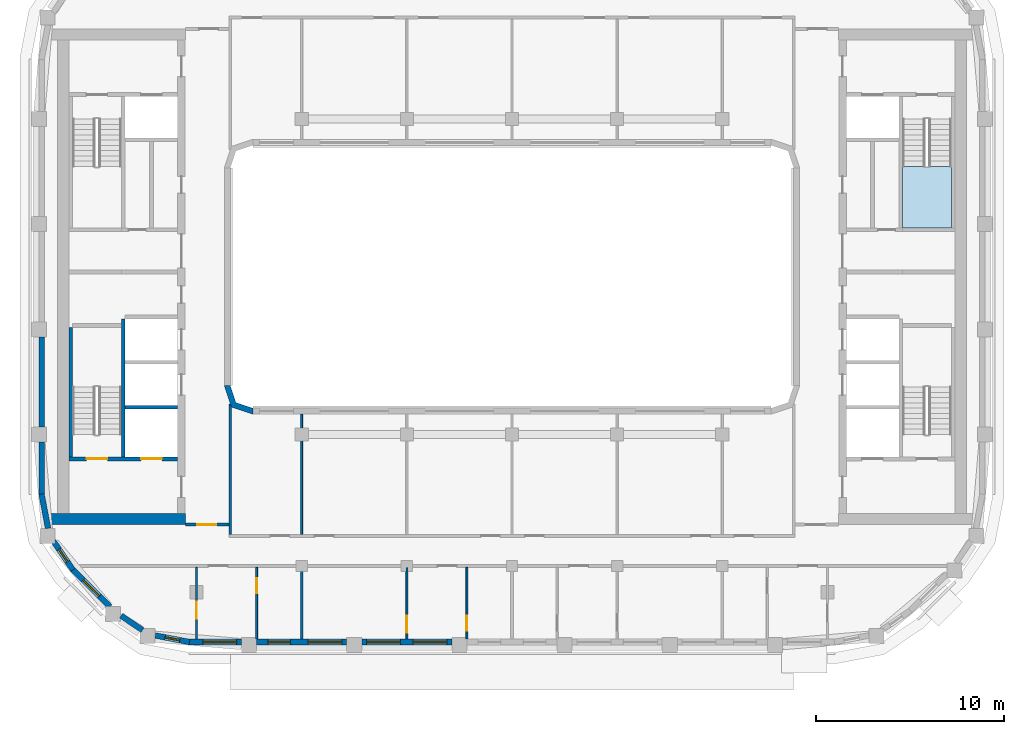
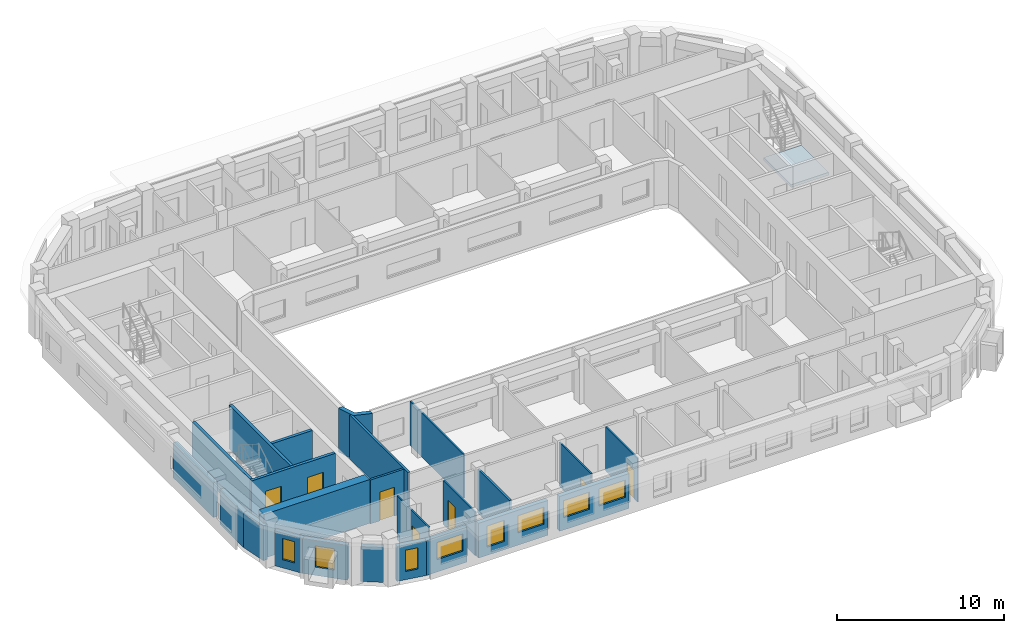
# One storey, part 2 of 15: 24 walls, 8 windows, 7 doors, 1 slab, 15 openings, 1 element without a shape of its own.
"""IFC4 building model written with IfcOpenShell, lengths in metres."""

from ifc_helpers import new_model, si_unit, direction, frame, frame_2d, origin, place, context, subcontext, project, spatial, polyline, rectangle, outline, extrude, material, layer, layer_set, type_object, element, fill, aggregate, save


model = new_model("IFC4")

# Units and contexts
model_context = context("Model", 3, precision=1e-05, world=origin(), true_north=direction((0.0, 1.0)))
body_context = subcontext(model_context, "Body", "Model", "MODEL_VIEW")
ifc_project = project(units=[si_unit("LENGTHUNIT", "METRE"), si_unit("AREAUNIT", "SQUARE_METRE"), si_unit("VOLUMEUNIT", "CUBIC_METRE"), si_unit("PLANEANGLEUNIT", "RADIAN"), si_unit("MASSUNIT", "GRAM", prefix="KILO")], contexts=[model_context])

# Site, building, storey
site_placement = place(None, origin())
site = spatial("IfcSite", under=ifc_project, at=site_placement, CompositionType="ELEMENT")
building_placement = place(site_placement, origin())
building = spatial("IfcBuilding", under=site, at=building_placement, Name="Kiln Ring Residences", CompositionType="ELEMENT")
storey_placement = place(building_placement, frame((0.0, 0.0, 248.699951171875)))
storey = spatial("IfcBuildingStorey", under=building, at=storey_placement, Name="L64", CompositionType="ELEMENT", Elevation=248.699951171875)

# Stair, slab
ifc_material_1 = material(Name="Concrete C40/50", Category="concrete")
stair_type = type_object("IfcStairType", Name="CORE-STAIR", PredefinedType="HALF_TURN_STAIR", material=ifc_material_1)
placement = place(storey_placement, origin())
stair = element("IfcStair", 1, at=placement, inside=storey, type_object=stair_type, Name="L64 stair E-STN", PredefinedType="HALF_TURN_STAIR")
ifc_material_2 = material(Name="Concrete C40/50", Category="concrete")
ifc_layer_1 = layer(ifc_material_2, 0.199951171875)
ifc_layer_set_1 = layer_set([ifc_layer_1], Name="CORE-STAIR-LANDING")
slab_type = type_object("IfcSlabType", Name="CORE-STAIR-LANDING", PredefinedType="LANDING", material=ifc_layer_set_1)
slab_placement = place(storey_placement, frame((0.0, 0.0, 1.550048828125)))
slab = element("IfcSlab", 2, at=slab_placement, type_object=slab_type, Name="E-STN landing 1", PredefinedType="LANDING", context=body_context, shape_type="SweptSolid", body=[
    extrude(outline(polyline([(20.800048828125, 5.8798828125), (20.800048828125, 2.60009765625), (23.39990234375, 2.60009765625), (23.39990234375, 5.8798828125), (20.800048828125, 5.8798828125)])), origin(), (0.0, 0.0, 1.0), 0.199951171875),
])
aggregate(stair, [slab])

# Walls
ifc_material_3 = material(Name="Gypsum shaft wall system")
ifc_layer_2 = layer(ifc_material_3, 0.199951171875)
ifc_layer_set_2 = layer_set([ifc_layer_2], Name="CORE-SHAFT-WALL-200")
wall_type_1 = type_object("IfcWallType", Name="CORE-SHAFT-WALL-200", PredefinedType="PARTITIONING", material=ifc_layer_set_2)
wall_1_placement = place(storey_placement, frame((-17.800048828125, -6.949951171875, 0.0), z_axis=(0.0, 0.0, 1.0), x_axis=(-1.0, 0.0, 0.0)))
element("IfcWall", 3, at=wall_1_placement, inside=storey, type_object=wall_type_1, Name="Core partition west L64 3", PredefinedType="PARTITIONING", context=body_context, shape_type="SweptSolid", body=[
    extrude(rectangle(XDim=2.800048828125, YDim=0.199951171875, at=frame_2d((1.39990234375, 0.0))), origin(), (0.0, 0.0, 1.0), 3.199951171875),
])
ifc_material_4 = material(Name="Concrete C40/50", Category="concrete")
ifc_layer_3 = layer(ifc_material_4, 0.199951171875)
ifc_layer_set_3 = layer_set([ifc_layer_3], Name="CORE-WALL-RC200")
wall_type_2 = type_object("IfcWallType", Name="CORE-WALL-RC200", PredefinedType="SHEAR", material=ifc_layer_set_3)
wall_2_placement = place(storey_placement, frame((-20.699951171875, -9.60009765625, 0.0), z_axis=(0.0, 0.0, 1.0), x_axis=(0.0, 1.0, 0.0)))
element("IfcWall", 4, at=wall_2_placement, inside=storey, type_object=wall_type_2, Name="Core wall west L64 2", PredefinedType="SHEAR", context=body_context, shape_type="SweptSolid", body=[
    extrude(rectangle(XDim=7.35009765625, YDim=0.199951171875, at=frame_2d((3.675048828125, 0.0))), origin(), (0.0, 0.0, 1.0), 3.199951171875),
])

# Wall, openings, doors
wall_3_placement = place(storey_placement, frame((-17.800048828125, -9.699951171875, 0.0), z_axis=(0.0, 0.0, 1.0), x_axis=(-1.0, 0.0, 0.0)))
wall_3 = element("IfcWall", 5, at=wall_3_placement, inside=storey, type_object=wall_type_2, Name="Core wall west L64 8", PredefinedType="SHEAR", context=body_context, shape_type="SweptSolid", body=[
    extrude(rectangle(XDim=5.800048828125, YDim=0.199951171875, at=frame_2d((2.89990234375, 0.0))), origin(), (0.0, 0.0, 1.0), 3.199951171875),
])
opening_1_placement = place(wall_3_placement, frame((0.85009765625, 0.0, 0.0)))
opening_1 = element("IfcOpeningElement", 6, at=opening_1_placement, cuts=wall_3, Name="Opening L64-CW01", PredefinedType="OPENING", context=body_context, shape_type="SweptSolid", body=[
    extrude(rectangle(XDim=1.10009765625, YDim=2.10009765625, at=frame_2d((0.550048828125, 1.050048828125))), frame((0.0, 0.10986328125, 0.0), z_axis=(0.0, -1.0, 0.0), x_axis=(1.0, 0.0, 0.0)), (0.0, 0.0, 1.0), 0.219970703125),
])
opening_2_placement = place(wall_3_placement, frame((3.75, 0.0, 0.0)))
opening_2 = element("IfcOpeningElement", 7, at=opening_2_placement, cuts=wall_3, Name="Opening L64-CW11", PredefinedType="OPENING", context=body_context, shape_type="SweptSolid", body=[
    extrude(rectangle(XDim=1.10009765625, YDim=2.10009765625, at=frame_2d((0.550048828125, 1.050048828125))), frame((0.0, 0.10986328125, 0.0), z_axis=(0.0, -1.0, 0.0), x_axis=(1.0, 0.0, 0.0)), (0.0, 0.0, 1.0), 0.219970703125),
])
ifc_material_5 = material(Name="Steel door leaf", Category="steel")
door_type_1 = type_object("IfcDoorType", Name="CORE-DOOR-LD", OperationType="DOUBLE_DOOR_SLIDING", PredefinedType="DOOR", material=ifc_material_5)
door_1_placement = place(opening_1_placement, origin())
door_1 = element("IfcDoor", 8, at=door_1_placement, inside=storey, type_object=door_type_1, Name="LD W-SV L64-CW01", OperationType="DOUBLE_DOOR_SLIDING", OverallHeight=2.10009765625, OverallWidth=1.10009765625, PredefinedType="DOOR", context=body_context, shape_type="SweptSolid", body=[
    extrude(rectangle(XDim=1.10009765625, YDim=2.10009765625, at=frame_2d((0.550048828125, 1.050048828125))), frame((0.0, 0.02490234375, 0.0), z_axis=(0.0, -1.0, 0.0), x_axis=(1.0, 0.0, 0.0)), (0.0, 0.0, 1.0), 0.050048828125),
])
fill(opening_1, door_1)
ifc_material_6 = material(Name="Steel door leaf", Category="steel")
door_type_2 = type_object("IfcDoorType", Name="CORE-DOOR-STAIR", OperationType="SINGLE_SWING_LEFT", PredefinedType="DOOR", material=ifc_material_6)
door_2_placement = place(opening_2_placement, origin())
door_2 = element("IfcDoor", 9, at=door_2_placement, inside=storey, type_object=door_type_2, Name="Stair W-STS L64-CW11", OperationType="SINGLE_SWING_RIGHT", OverallHeight=2.10009765625, OverallWidth=1.10009765625, PredefinedType="DOOR", context=body_context, shape_type="SweptSolid", body=[
    extrude(rectangle(XDim=1.10009765625, YDim=2.10009765625, at=frame_2d((0.550048828125, 1.050048828125))), frame((0.0, 0.02490234375, 0.0), z_axis=(0.0, -1.0, 0.0), x_axis=(1.0, 0.0, 0.0)), (0.0, 0.0, 1.0), 0.050048828125),
])
fill(opening_2, door_2)

# Walls
wall_4_placement = place(storey_placement, frame((-23.5, -9.60009765625, 0.0), z_axis=(0.0, 0.0, 1.0), x_axis=(0.0, 1.0, 0.0)))
element("IfcWall", 10, at=wall_4_placement, inside=storey, type_object=wall_type_2, Name="Core wall west L64 11", PredefinedType="SHEAR", context=body_context, shape_type="SweptSolid", body=[
    extrude(rectangle(XDim=6.900146484375, YDim=0.199951171875, at=frame_2d((3.4501953125, 0.0))), origin(), (0.0, 0.0, 1.0), 3.199951171875),
])
ifc_material_7 = material(Name="Concrete C60/75", Category="concrete")
ifc_layer_4 = layer(ifc_material_7, 0.60009765625)
ifc_layer_set_4 = layer_set([ifc_layer_4], Name="CORE-WALL-RC600")
wall_type_3 = type_object("IfcWallType", Name="CORE-WALL-RC600", PredefinedType="SHEAR", material=ifc_layer_set_4)
wall_5_placement = place(storey_placement, frame((-17.39990234375, -12.89990234375, 0.0), z_axis=(0.0, 0.0, 1.0), x_axis=(-1.0, 0.0, 0.0)))
element("IfcWall", 11, at=wall_5_placement, inside=storey, type_object=wall_type_3, Name="Core wall west L64 5", PredefinedType="SHEAR", context=body_context, shape_type="SweptSolid", body=[
    extrude(rectangle(XDim=7.320068359375, YDim=0.60009765625, at=frame_2d((3.66015625, 0.0))), origin(), (0.0, 0.0, 1.0), 3.199951171875),
])

# Wall, opening, window
ifc_material_8 = material(Name="Brick masonry, dark clay brick", Category="masonry")
ifc_layer_5 = layer(ifc_material_8, 0.300048828125)
ifc_layer_set_5 = layer_set([ifc_layer_5], Name="EW-300 BRICK WALL")
wall_type_4 = type_object("IfcWallType", Name="EW-300 BRICK WALL", PredefinedType="SOLIDWALL", material=ifc_layer_set_5)
wall_6_placement = place(storey_placement, frame((-23.39697265625, -15.591064453125, 0.0), z_axis=(0.0, 0.0, 1.0), x_axis=(0.707150377276, -0.707063182409, 0.0)))
wall_6 = element("IfcWall", 12, at=wall_6_placement, inside=storey, type_object=wall_type_4, Name="Facade wall L64 1", PredefinedType="SOLIDWALL", context=body_context, shape_type="SweptSolid", body=[
    extrude(rectangle(XDim=2.800048828125, YDim=0.300048828125, at=frame_2d((1.39990234375, 0.0))), origin(), (0.0, 0.0, 1.0), 2.550048828125),
])
opening_3_placement = place(wall_6_placement, frame((0.800048828125, 0.0, 0.60009765625)))
opening_3 = element("IfcOpeningElement", 13, at=opening_3_placement, cuts=wall_6, Name="Opening W1", PredefinedType="OPENING", context=body_context, shape_type="SweptSolid", body=[
    extrude(rectangle(XDim=1.199951171875, YDim=1.550048828125, at=frame_2d((0.60009765625, 0.77490234375))), frame((0.0, 0.159912109375, 0.0), z_axis=(0.0, -1.0, 0.0), x_axis=(1.0, 0.0, 0.0)), (0.0, 0.0, 1.0), 0.320068359375),
])
ifc_material_9 = material(Name="Aluminium frame with double glazing", Category="aluminium")
window_type_1 = type_object("IfcWindowType", Name="WINDOW 1200 x 1550", PartitioningType="SINGLE_PANEL", PredefinedType="WINDOW", material=ifc_material_9)
window_1_placement = place(opening_3_placement, origin())
window_1 = element("IfcWindow", 14, at=window_1_placement, inside=storey, type_object=window_type_1, Name="Window L64 1", OverallHeight=1.550048828125, OverallWidth=1.199951171875, PartitioningType="SINGLE_PANEL", PredefinedType="WINDOW", context=body_context, shape_type="SweptSolid", body=[
    extrude(rectangle(XDim=1.199951171875, YDim=1.550048828125, at=frame_2d((0.60009765625, 0.77490234375))), frame((0.0, 0.030029296875, 0.0), z_axis=(0.0, -1.0, 0.0), x_axis=(1.0, 0.0, 0.0)), (0.0, 0.0, 1.0), 0.06005859375),
])
fill(opening_3, window_1)

# Wall
wall_7_placement = place(storey_placement, frame((-20.816650390625, -18.048095703125, 0.0), z_axis=(0.0, 0.0, 1.0), x_axis=(0.827025410886, -0.562164539747, 0.0)))
element("IfcWall", 15, at=wall_7_placement, inside=storey, type_object=wall_type_4, Name="Facade wall L64 2", PredefinedType="SOLIDWALL", context=body_context, shape_type="SweptSolid", body=[
    extrude(rectangle(XDim=1.377197265625, YDim=0.300048828125, at=frame_2d((0.6884765625, 0.0))), origin(), (0.0, 0.0, 1.0), 2.550048828125),
])

# Wall, opening, window
wall_8_placement = place(storey_placement, frame((-18.9951171875, -19.10498046875, 0.0), z_axis=(0.0, 0.0, 1.0), x_axis=(0.982301706131, -0.187305520826, 0.0)))
wall_8 = element("IfcWall", 16, at=wall_8_placement, inside=storey, type_object=wall_type_4, Name="Facade wall L64 3", PredefinedType="SOLIDWALL", context=body_context, shape_type="SweptSolid", body=[
    extrude(rectangle(XDim=1.856201171875, YDim=0.300048828125, at=frame_2d((0.92822265625, 0.0))), origin(), (0.0, 0.0, 1.0), 2.550048828125),
])
opening_4_placement = place(wall_8_placement, frame((0.528076171875, 0.0, 0.60009765625)))
opening_4 = element("IfcOpeningElement", 17, at=opening_4_placement, cuts=wall_8, Name="Opening W5", PredefinedType="OPENING", context=body_context, shape_type="SweptSolid", body=[
    extrude(rectangle(XDim=0.800048828125, YDim=1.550048828125, at=frame_2d((0.39990234375, 0.77490234375))), frame((0.0, 0.159912109375, 0.0), z_axis=(0.0, -1.0, 0.0), x_axis=(1.0, 0.0, 0.0)), (0.0, 0.0, 1.0), 0.320068359375),
])
ifc_material_10 = material(Name="Aluminium frame with double glazing", Category="aluminium")
window_type_2 = type_object("IfcWindowType", Name="WINDOW 800 x 1550", PartitioningType="SINGLE_PANEL", PredefinedType="WINDOW", material=ifc_material_10)
window_2_placement = place(opening_4_placement, origin())
window_2 = element("IfcWindow", 18, at=window_2_placement, inside=storey, type_object=window_type_2, Name="Window L64 2", OverallHeight=1.550048828125, OverallWidth=0.800048828125, PartitioningType="SINGLE_PANEL", PredefinedType="WINDOW", context=body_context, shape_type="SweptSolid", body=[
    extrude(rectangle(XDim=0.800048828125, YDim=1.550048828125, at=frame_2d((0.39990234375, 0.77490234375))), frame((0.0, 0.030029296875, 0.0), z_axis=(0.0, -1.0, 0.0), x_axis=(1.0, 0.0, 0.0)), (0.0, 0.0, 1.0), 0.06005859375),
])
fill(opening_4, window_2)

wall_9_placement = place(storey_placement, frame((-17.199951171875, -19.449951171875, 0.0), z_axis=(0.0, 0.0, 1.0), x_axis=(1.0, 0.0, 0.0)))
wall_9 = element("IfcWall", 19, at=wall_9_placement, inside=storey, type_object=wall_type_4, Name="Facade wall L64 4", PredefinedType="SOLIDWALL", context=body_context, shape_type="SweptSolid", body=[
    extrude(rectangle(XDim=2.800048828125, YDim=0.300048828125, at=frame_2d((1.39990234375, 0.0))), origin(), (0.0, 0.0, 1.0), 2.550048828125),
])
opening_5_placement = place(wall_9_placement, frame((0.737548828125, 0.0, 0.89990234375)))
opening_5 = element("IfcOpeningElement", 20, at=opening_5_placement, cuts=wall_9, Name="Opening W2", PredefinedType="OPENING", context=body_context, shape_type="SweptSolid", body=[
    extrude(rectangle(XDim=1.800048828125, YDim=1.25, at=frame_2d((0.89990234375, 0.625))), frame((0.0, 0.159912109375, 0.0), z_axis=(0.0, -1.0, 0.0), x_axis=(1.0, 0.0, 0.0)), (0.0, 0.0, 1.0), 0.320068359375),
])
ifc_material_11 = material(Name="Aluminium frame with double glazing", Category="aluminium")
window_type_3 = type_object("IfcWindowType", Name="WINDOW 1800 x 1250", PartitioningType="SINGLE_PANEL", PredefinedType="WINDOW", material=ifc_material_11)
window_3_placement = place(opening_5_placement, origin())
window_3 = element("IfcWindow", 21, at=window_3_placement, inside=storey, type_object=window_type_3, Name="Window L64 3", OverallHeight=1.25, OverallWidth=1.800048828125, PartitioningType="SINGLE_PANEL", PredefinedType="WINDOW", context=body_context, shape_type="SweptSolid", body=[
    extrude(rectangle(XDim=1.800048828125, YDim=1.25, at=frame_2d((0.89990234375, 0.625))), frame((0.0, 0.030029296875, 0.0), z_axis=(0.0, -1.0, 0.0), x_axis=(1.0, 0.0, 0.0)), (0.0, 0.0, 1.0), 0.06005859375),
])
fill(opening_5, window_3)

# Wall, openings, windows
wall_10_placement = place(storey_placement, frame((-13.60009765625, -19.449951171875, 0.0), z_axis=(0.0, 0.0, 1.0), x_axis=(1.0, 0.0, 0.0)))
wall_10 = element("IfcWall", 22, at=wall_10_placement, inside=storey, type_object=wall_type_4, Name="Facade wall L64 5", PredefinedType="SOLIDWALL", context=body_context, shape_type="SweptSolid", body=[
    extrude(rectangle(XDim=4.800048828125, YDim=0.300048828125, at=frame_2d((2.39990234375, 0.0))), origin(), (0.0, 0.0, 1.0), 2.550048828125),
])
opening_6_placement = place(wall_10_placement, frame((0.60009765625, 0.0, 0.60009765625)))
opening_6 = element("IfcOpeningElement", 23, at=opening_6_placement, cuts=wall_10, Name="Opening W1", PredefinedType="OPENING", context=body_context, shape_type="SweptSolid", body=[
    extrude(rectangle(XDim=1.199951171875, YDim=1.550048828125, at=frame_2d((0.60009765625, 0.77490234375))), frame((0.0, 0.159912109375, 0.0), z_axis=(0.0, -1.0, 0.0), x_axis=(1.0, 0.0, 0.0)), (0.0, 0.0, 1.0), 0.320068359375),
])
opening_7_placement = place(wall_10_placement, frame((2.737548828125, 0.0, 0.89990234375)))
opening_7 = element("IfcOpeningElement", 24, at=opening_7_placement, cuts=wall_10, Name="Opening W2", PredefinedType="OPENING", context=body_context, shape_type="SweptSolid", body=[
    extrude(rectangle(XDim=1.800048828125, YDim=1.25, at=frame_2d((0.89990234375, 0.625))), frame((0.0, 0.159912109375, 0.0), z_axis=(0.0, -1.0, 0.0), x_axis=(1.0, 0.0, 0.0)), (0.0, 0.0, 1.0), 0.320068359375),
])
window_4_placement = place(opening_6_placement, origin())
window_4 = element("IfcWindow", 25, at=window_4_placement, inside=storey, type_object=window_type_1, Name="Window L64 4", OverallHeight=1.550048828125, OverallWidth=1.199951171875, PartitioningType="SINGLE_PANEL", PredefinedType="WINDOW", context=body_context, shape_type="SweptSolid", body=[
    extrude(rectangle(XDim=1.199951171875, YDim=1.550048828125, at=frame_2d((0.60009765625, 0.77490234375))), frame((0.0, 0.030029296875, 0.0), z_axis=(0.0, -1.0, 0.0), x_axis=(1.0, 0.0, 0.0)), (0.0, 0.0, 1.0), 0.06005859375),
])
fill(opening_6, window_4)
window_5_placement = place(opening_7_placement, origin())
window_5 = element("IfcWindow", 26, at=window_5_placement, inside=storey, type_object=window_type_3, Name="Window L64 5", OverallHeight=1.25, OverallWidth=1.800048828125, PartitioningType="SINGLE_PANEL", PredefinedType="WINDOW", context=body_context, shape_type="SweptSolid", body=[
    extrude(rectangle(XDim=1.800048828125, YDim=1.25, at=frame_2d((0.89990234375, 0.625))), frame((0.0, 0.030029296875, 0.0), z_axis=(0.0, -1.0, 0.0), x_axis=(1.0, 0.0, 0.0)), (0.0, 0.0, 1.0), 0.06005859375),
])
fill(opening_7, window_5)

wall_11_placement = place(storey_placement, frame((-8.0, -19.449951171875, 0.0), z_axis=(0.0, 0.0, 1.0), x_axis=(1.0, 0.0, 0.0)))
wall_11 = element("IfcWall", 27, at=wall_11_placement, inside=storey, type_object=wall_type_4, Name="Facade wall L64 6", PredefinedType="SOLIDWALL", context=body_context, shape_type="SweptSolid", body=[
    extrude(rectangle(XDim=4.800048828125, YDim=0.300048828125, at=frame_2d((2.39990234375, 0.0))), origin(), (0.0, 0.0, 1.0), 2.550048828125),
])
opening_8_placement = place(wall_11_placement, frame((0.262451171875, 0.0, 0.89990234375)))
opening_8 = element("IfcOpeningElement", 28, at=opening_8_placement, cuts=wall_11, Name="Opening W2", PredefinedType="OPENING", context=body_context, shape_type="SweptSolid", body=[
    extrude(rectangle(XDim=1.800048828125, YDim=1.25, at=frame_2d((0.89990234375, 0.625))), frame((0.0, 0.159912109375, 0.0), z_axis=(0.0, -1.0, 0.0), x_axis=(1.0, 0.0, 0.0)), (0.0, 0.0, 1.0), 0.320068359375),
])
opening_9_placement = place(wall_11_placement, frame((2.737548828125, 0.0, 0.89990234375)))
opening_9 = element("IfcOpeningElement", 29, at=opening_9_placement, cuts=wall_11, Name="Opening W2", PredefinedType="OPENING", context=body_context, shape_type="SweptSolid", body=[
    extrude(rectangle(XDim=1.800048828125, YDim=1.25, at=frame_2d((0.89990234375, 0.625))), frame((0.0, 0.159912109375, 0.0), z_axis=(0.0, -1.0, 0.0), x_axis=(1.0, 0.0, 0.0)), (0.0, 0.0, 1.0), 0.320068359375),
])
window_6_placement = place(opening_8_placement, origin())
window_6 = element("IfcWindow", 30, at=window_6_placement, inside=storey, type_object=window_type_3, Name="Window L64 6", OverallHeight=1.25, OverallWidth=1.800048828125, PartitioningType="SINGLE_PANEL", PredefinedType="WINDOW", context=body_context, shape_type="SweptSolid", body=[
    extrude(rectangle(XDim=1.800048828125, YDim=1.25, at=frame_2d((0.89990234375, 0.625))), frame((0.0, 0.030029296875, 0.0), z_axis=(0.0, -1.0, 0.0), x_axis=(1.0, 0.0, 0.0)), (0.0, 0.0, 1.0), 0.06005859375),
])
fill(opening_8, window_6)
window_7_placement = place(opening_9_placement, origin())
window_7 = element("IfcWindow", 31, at=window_7_placement, inside=storey, type_object=window_type_3, Name="Window L64 7", OverallHeight=1.25, OverallWidth=1.800048828125, PartitioningType="SINGLE_PANEL", PredefinedType="WINDOW", context=body_context, shape_type="SweptSolid", body=[
    extrude(rectangle(XDim=1.800048828125, YDim=1.25, at=frame_2d((0.89990234375, 0.625))), frame((0.0, 0.030029296875, 0.0), z_axis=(0.0, -1.0, 0.0), x_axis=(1.0, 0.0, 0.0)), (0.0, 0.0, 1.0), 0.06005859375),
])
fill(opening_9, window_7)

# Walls
wall_12_placement = place(storey_placement, frame((-25.050048828125, -3.199951171875, 0.0), z_axis=(0.0, 0.0, 1.0), x_axis=(0.0, -1.0, 0.0)))
element("IfcWall", 32, at=wall_12_placement, inside=storey, type_object=wall_type_4, Name="Facade wall L64 41", PredefinedType="SOLIDWALL", context=body_context, shape_type="SweptSolid", body=[
    extrude(rectangle(XDim=4.800048828125, YDim=0.300048828125, at=frame_2d((2.39990234375, 0.0))), origin(), (0.0, 0.0, 1.0), 2.550048828125),
])
wall_13_placement = place(storey_placement, frame((-25.050048828125, -8.800048828125, 0.0), z_axis=(0.0, 0.0, 1.0), x_axis=(0.0, -1.0, 0.0)))
element("IfcWall", 33, at=wall_13_placement, inside=storey, type_object=wall_type_4, Name="Facade wall L64 42", PredefinedType="SOLIDWALL", context=body_context, shape_type="SweptSolid", body=[
    extrude(rectangle(XDim=2.800048828125, YDim=0.300048828125, at=frame_2d((1.39990234375, 0.0))), origin(), (0.0, 0.0, 1.0), 2.550048828125),
])
wall_14_placement = place(storey_placement, frame((-25.052734375, -11.57177734375, 0.0), z_axis=(0.0, 0.0, 1.0), x_axis=(0.187408222942, -0.982282117303, 0.0)))
element("IfcWall", 34, at=wall_14_placement, inside=storey, type_object=wall_type_4, Name="Facade wall L64 43", PredefinedType="SOLIDWALL", context=body_context, shape_type="SweptSolid", body=[
    extrude(rectangle(XDim=1.8564453125, YDim=0.300048828125, at=frame_2d((0.92822265625, 0.0))), origin(), (0.0, 0.0, 1.0), 2.550048828125),
])

# Wall, opening, window
wall_15_placement = place(storey_placement, frame((-24.422119140625, -14.07763671875, 0.0), z_axis=(0.0, 0.0, 1.0), x_axis=(0.562054549384, -0.827100165347, 0.0)))
wall_15 = element("IfcWall", 35, at=wall_15_placement, inside=storey, type_object=wall_type_4, Name="Facade wall L64 44", PredefinedType="SOLIDWALL", context=body_context, shape_type="SweptSolid", body=[
    extrude(rectangle(XDim=1.85595703125, YDim=0.300048828125, at=frame_2d((0.927978515625, 0.0))), origin(), (0.0, 0.0, 1.0), 2.550048828125),
])
opening_10_placement = place(wall_15_placement, frame((0.528076171875, 0.0, 0.60009765625)))
opening_10 = element("IfcOpeningElement", 36, at=opening_10_placement, cuts=wall_15, Name="Opening W5", PredefinedType="OPENING", context=body_context, shape_type="SweptSolid", body=[
    extrude(rectangle(XDim=0.800048828125, YDim=1.550048828125, at=frame_2d((0.39990234375, 0.77490234375))), frame((0.0, 0.159912109375, 0.0), z_axis=(0.0, -1.0, 0.0), x_axis=(1.0, 0.0, 0.0)), (0.0, 0.0, 1.0), 0.320068359375),
])
window_8_placement = place(opening_10_placement, origin())
window_8 = element("IfcWindow", 37, at=window_8_placement, inside=storey, type_object=window_type_2, Name="Window L64 36", OverallHeight=1.550048828125, OverallWidth=0.800048828125, PartitioningType="SINGLE_PANEL", PredefinedType="WINDOW", context=body_context, shape_type="SweptSolid", body=[
    extrude(rectangle(XDim=0.800048828125, YDim=1.550048828125, at=frame_2d((0.39990234375, 0.77490234375))), frame((0.0, 0.030029296875, 0.0), z_axis=(0.0, -1.0, 0.0), x_axis=(1.0, 0.0, 0.0)), (0.0, 0.0, 1.0), 0.06005859375),
])
fill(opening_10, window_8)

# Wall
element("IfcWall", 38, at=placement, inside=storey, type_object=wall_type_4, Name="Corner wall L64 4", PredefinedType="SOLIDWALL", context=body_context, shape_type="SweptSolid", body=[
    extrude(outline(polyline([(-14.937255859375, -6.937255859375), (-13.8486328125, -7.300048828125), (-13.800048828125, -7.300048828125), (-13.800048828125, -7.0), (-14.699951171875, -6.699951171875), (-15.0, -5.800048828125), (-15.300048828125, -5.800048828125), (-15.300048828125, -5.8486328125), (-14.937255859375, -6.937255859375)])), origin(), (0.0, 0.0, 1.0), 3.199951171875),
])

# Wall, opening, door
ifc_material_12 = material(Name="Gypsum board on steel studs", Category="steel")
ifc_layer_6 = layer(ifc_material_12, 0.10009765625)
ifc_layer_set_6 = layer_set([ifc_layer_6], Name="PARTITION-100")
wall_type_5 = type_object("IfcWallType", Name="PARTITION-100", PredefinedType="PARTITIONING", material=ifc_layer_set_6)
wall_17_placement = place(storey_placement, frame((-16.800048828125, -19.280029296875, 0.0), z_axis=(0.0, 0.0, 1.0), x_axis=(0.0, 1.0, 0.0)))
wall_17 = element("IfcWall", 39, at=wall_17_placement, inside=storey, type_object=wall_type_5, Name="Partition 008", PredefinedType="PARTITIONING", context=body_context, shape_type="SweptSolid", body=[
    extrude(rectangle(XDim=3.804931640625, YDim=0.10009765625, at=frame_2d((1.90234375, 0.0))), origin(), (0.0, 0.0, 1.0), 3.199951171875),
])
opening_11_placement = place(wall_17_placement, frame((1.0791015625, 0.0, 0.0)))
opening_11 = element("IfcOpeningElement", 40, at=opening_11_placement, cuts=wall_17, Name="Opening L64-D031", PredefinedType="OPENING", context=body_context, shape_type="SweptSolid", body=[
    extrude(rectangle(XDim=0.89990234375, YDim=2.10009765625, at=frame_2d((0.449951171875, 1.050048828125))), frame((0.0, 0.06005859375, 0.0), z_axis=(0.0, -1.0, 0.0), x_axis=(1.0, 0.0, 0.0)), (0.0, 0.0, 1.0), 0.1201171875),
])
ifc_material_13 = material(Name="Timber door leaf", Category="wood")
door_type_3 = type_object("IfcDoorType", Name="FLAT-DOOR-900-PL", OperationType="SINGLE_SWING_LEFT", PredefinedType="DOOR", material=ifc_material_13)
door_3_placement = place(opening_11_placement, origin())
door_3 = element("IfcDoor", 41, at=door_3_placement, inside=storey, type_object=door_type_3, Name="Door L64-D031", OperationType="SINGLE_SWING_RIGHT", OverallHeight=2.10009765625, OverallWidth=0.89990234375, PredefinedType="DOOR", context=body_context, shape_type="SweptSolid", body=[
    extrude(rectangle(XDim=0.89990234375, YDim=2.10009765625, at=frame_2d((0.449951171875, 1.050048828125))), frame((0.0, 0.02490234375, 0.0), z_axis=(0.0, -1.0, 0.0), x_axis=(1.0, 0.0, 0.0)), (0.0, 0.0, 1.0), 0.050048828125),
])
fill(opening_11, door_3)

wall_18_placement = place(storey_placement, frame((-13.60009765625, -19.280029296875, 0.0), z_axis=(0.0, 0.0, 1.0), x_axis=(0.0, 1.0, 0.0)))
wall_18 = element("IfcWall", 42, at=wall_18_placement, inside=storey, type_object=wall_type_5, Name="Partition 012", PredefinedType="PARTITIONING", context=body_context, shape_type="SweptSolid", body=[
    extrude(rectangle(XDim=3.804931640625, YDim=0.10009765625, at=frame_2d((1.90234375, 0.0))), origin(), (0.0, 0.0, 1.0), 3.199951171875),
])
opening_12_placement = place(wall_18_placement, frame((2.419921875, 0.0, 0.0)))
opening_12 = element("IfcOpeningElement", 43, at=opening_12_placement, cuts=wall_18, Name="Opening L64-D030", PredefinedType="OPENING", context=body_context, shape_type="SweptSolid", body=[
    extrude(rectangle(XDim=0.800048828125, YDim=2.10009765625, at=frame_2d((0.39990234375, 1.050048828125))), frame((0.0, 0.06005859375, 0.0), z_axis=(0.0, -1.0, 0.0), x_axis=(1.0, 0.0, 0.0)), (0.0, 0.0, 1.0), 0.1201171875),
])
ifc_material_14 = material(Name="Timber door leaf", Category="wood")
door_type_4 = type_object("IfcDoorType", Name="FLAT-DOOR-800-PL", OperationType="SINGLE_SWING_LEFT", PredefinedType="DOOR", material=ifc_material_14)
door_4_placement = place(opening_12_placement, origin())
door_4 = element("IfcDoor", 44, at=door_4_placement, inside=storey, type_object=door_type_4, Name="Door L64-D030", OperationType="SINGLE_SWING_RIGHT", OverallHeight=2.10009765625, OverallWidth=0.800048828125, PredefinedType="DOOR", context=body_context, shape_type="SweptSolid", body=[
    extrude(rectangle(XDim=0.800048828125, YDim=2.10009765625, at=frame_2d((0.39990234375, 1.050048828125))), frame((0.0, 0.02490234375, 0.0), z_axis=(0.0, -1.0, 0.0), x_axis=(1.0, 0.0, 0.0)), (0.0, 0.0, 1.0), 0.050048828125),
])
fill(opening_12, door_4)

# Wall
wall_19_placement = place(storey_placement, frame((-11.199951171875, -13.72509765625, 0.0), z_axis=(0.0, 0.0, 1.0), x_axis=(0.0, 1.0, 0.0)))
element("IfcWall", 45, at=wall_19_placement, inside=storey, type_object=wall_type_5, Name="Partition 014", PredefinedType="PARTITIONING", context=body_context, shape_type="SweptSolid", body=[
    extrude(rectangle(XDim=6.405029296875, YDim=0.10009765625, at=frame_2d((3.20263671875, 0.0))), origin(), (0.0, 0.0, 1.0), 3.199951171875),
])

# Wall, opening, door
wall_20_placement = place(storey_placement, frame((-5.60009765625, -19.280029296875, 0.0), z_axis=(0.0, 0.0, 1.0), x_axis=(0.0, 1.0, 0.0)))
wall_20 = element("IfcWall", 46, at=wall_20_placement, inside=storey, type_object=wall_type_5, Name="Partition 019", PredefinedType="PARTITIONING", context=body_context, shape_type="SweptSolid", body=[
    extrude(rectangle(XDim=3.804931640625, YDim=0.10009765625, at=frame_2d((1.90234375, 0.0))), origin(), (0.0, 0.0, 1.0), 3.199951171875),
])
opening_13_placement = place(wall_20_placement, frame((0.3291015625, 0.0, 0.0)))
opening_13 = element("IfcOpeningElement", 47, at=opening_13_placement, cuts=wall_20, Name="Opening L64-D034", PredefinedType="OPENING", context=body_context, shape_type="SweptSolid", body=[
    extrude(rectangle(XDim=0.89990234375, YDim=2.10009765625, at=frame_2d((0.449951171875, 1.050048828125))), frame((0.0, 0.06005859375, 0.0), z_axis=(0.0, -1.0, 0.0), x_axis=(1.0, 0.0, 0.0)), (0.0, 0.0, 1.0), 0.1201171875),
])
door_5_placement = place(opening_13_placement, origin())
door_5 = element("IfcDoor", 48, at=door_5_placement, inside=storey, type_object=door_type_3, Name="Door L64-D034", OperationType="SINGLE_SWING_RIGHT", OverallHeight=2.10009765625, OverallWidth=0.89990234375, PredefinedType="DOOR", context=body_context, shape_type="SweptSolid", body=[
    extrude(rectangle(XDim=0.89990234375, YDim=2.10009765625, at=frame_2d((0.449951171875, 1.050048828125))), frame((0.0, 0.02490234375, 0.0), z_axis=(0.0, -1.0, 0.0), x_axis=(1.0, 0.0, 0.0)), (0.0, 0.0, 1.0), 0.050048828125),
])
fill(opening_13, door_5)

wall_21_placement = place(storey_placement, frame((-2.39990234375, -19.280029296875, 0.0), z_axis=(0.0, 0.0, 1.0), x_axis=(0.0, 1.0, 0.0)))
wall_21 = element("IfcWall", 49, at=wall_21_placement, inside=storey, type_object=wall_type_5, Name="Partition 023", PredefinedType="PARTITIONING", context=body_context, shape_type="SweptSolid", body=[
    extrude(rectangle(XDim=3.804931640625, YDim=0.10009765625, at=frame_2d((1.90234375, 0.0))), origin(), (0.0, 0.0, 1.0), 3.199951171875),
])
opening_14_placement = place(wall_21_placement, frame((0.419921875, 0.0, 0.0)))
opening_14 = element("IfcOpeningElement", 50, at=opening_14_placement, cuts=wall_21, Name="Opening L64-D033", PredefinedType="OPENING", context=body_context, shape_type="SweptSolid", body=[
    extrude(rectangle(XDim=0.800048828125, YDim=2.10009765625, at=frame_2d((0.39990234375, 1.050048828125))), frame((0.0, 0.06005859375, 0.0), z_axis=(0.0, -1.0, 0.0), x_axis=(1.0, 0.0, 0.0)), (0.0, 0.0, 1.0), 0.1201171875),
])
door_6_placement = place(opening_14_placement, origin())
door_6 = element("IfcDoor", 51, at=door_6_placement, inside=storey, type_object=door_type_4, Name="Door L64-D033", OperationType="SINGLE_SWING_LEFT", OverallHeight=2.10009765625, OverallWidth=0.800048828125, PredefinedType="DOOR", context=body_context, shape_type="SweptSolid", body=[
    extrude(rectangle(XDim=0.800048828125, YDim=2.10009765625, at=frame_2d((0.39990234375, 1.050048828125))), frame((0.0, 0.02490234375, 0.0), z_axis=(0.0, -1.0, 0.0), x_axis=(1.0, 0.0, 0.0)), (0.0, 0.0, 1.0), 0.050048828125),
])
fill(opening_14, door_6)

ifc_material_15 = material(Name="Brick masonry partition", Category="masonry")
ifc_layer_7 = layer(ifc_material_15, 0.14990234375)
ifc_layer_set_7 = layer_set([ifc_layer_7], Name="PARTITION-150-ei60")
wall_type_6 = type_object("IfcWallType", Name="PARTITION-150-ei60", PredefinedType="PARTITIONING", material=ifc_layer_set_7)
wall_22_placement = place(storey_placement, frame((-17.39990234375, -13.199951171875, 0.0), z_axis=(0.0, 0.0, 1.0), x_axis=(1.0, 0.0, 0.0)))
wall_22 = element("IfcWall", 52, at=wall_22_placement, inside=storey, type_object=wall_type_6, Name="Partition 002", PredefinedType="PARTITIONING", context=body_context, shape_type="SweptSolid", body=[
    extrude(rectangle(XDim=2.324951171875, YDim=0.14990234375, at=frame_2d((1.16259765625, 0.0))), origin(), (0.0, 0.0, 1.0), 3.199951171875),
])
opening_15_placement = place(wall_22_placement, frame((0.64990234375, 0.0, 0.0)))
opening_15 = element("IfcOpeningElement", 53, at=opening_15_placement, cuts=wall_22, Name="Opening L64-D003", PredefinedType="OPENING", context=body_context, shape_type="SweptSolid", body=[
    extrude(rectangle(XDim=1.0, YDim=2.10009765625, at=frame_2d((0.5, 1.050048828125))), frame((0.0, 0.0849609375, 0.0), z_axis=(0.0, -1.0, 0.0), x_axis=(1.0, 0.0, 0.0)), (0.0, 0.0, 1.0), 0.169921875),
])
ifc_material_16 = material(Name="Steel faced fire door leaf", Category="steel")
door_type_5 = type_object("IfcDoorType", Name="FLAT-DOOR-1000-FR", OperationType="SINGLE_SWING_LEFT", PredefinedType="DOOR", material=ifc_material_16)
door_7_placement = place(opening_15_placement, origin())
door_7 = element("IfcDoor", 54, at=door_7_placement, inside=storey, type_object=door_type_5, Name="Door L64-D003", OperationType="SINGLE_SWING_RIGHT", OverallHeight=2.10009765625, OverallWidth=1.0, PredefinedType="DOOR", context=body_context, shape_type="SweptSolid", body=[
    extrude(rectangle(XDim=1.0, YDim=2.10009765625, at=frame_2d((0.5, 1.050048828125))), frame((0.0, 0.02490234375, 0.0), z_axis=(0.0, -1.0, 0.0), x_axis=(1.0, 0.0, 0.0)), (0.0, 0.0, 1.0), 0.050048828125),
])
fill(opening_15, door_7)

# Walls
wall_23_placement = place(storey_placement, frame((-15.0, -13.72509765625, 0.0), z_axis=(0.0, 0.0, 1.0), x_axis=(0.0, 1.0, 0.0)))
element("IfcWall", 55, at=wall_23_placement, inside=storey, type_object=wall_type_6, Name="Partition 010", PredefinedType="PARTITIONING", context=body_context, shape_type="SweptSolid", body=[
    extrude(rectangle(XDim=6.956298828125, YDim=0.14990234375, at=frame_2d((3.47802734375, 0.0))), origin(), (0.0, 0.0, 1.0), 3.199951171875),
])
wall_24_placement = place(storey_placement, frame((-11.199951171875, -19.280029296875, 0.0), z_axis=(0.0, 0.0, 1.0), x_axis=(0.0, 1.0, 0.0)))
element("IfcWall", 56, at=wall_24_placement, inside=storey, type_object=wall_type_6, Name="Partition 016", PredefinedType="PARTITIONING", context=body_context, shape_type="SweptSolid", body=[
    extrude(rectangle(XDim=3.804931640625, YDim=0.14990234375, at=frame_2d((1.90234375, 0.0))), origin(), (0.0, 0.0, 1.0), 3.199951171875),
])

save(model, "model.ifc")
